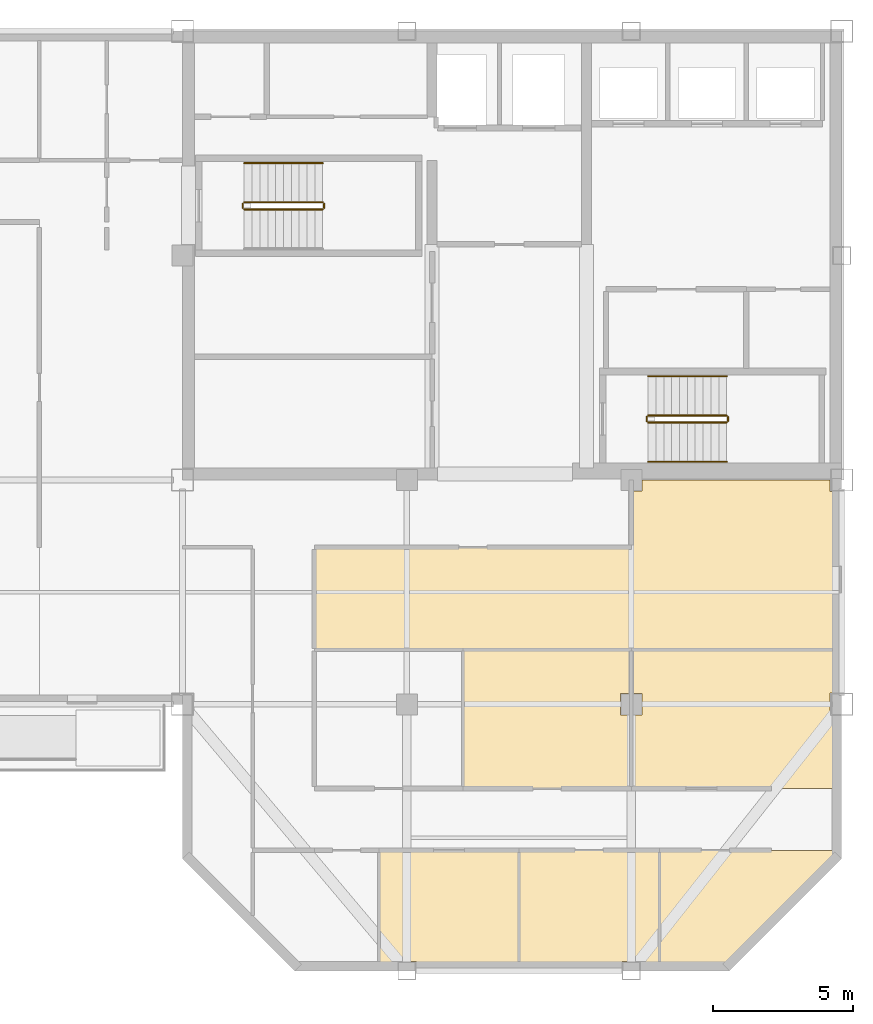
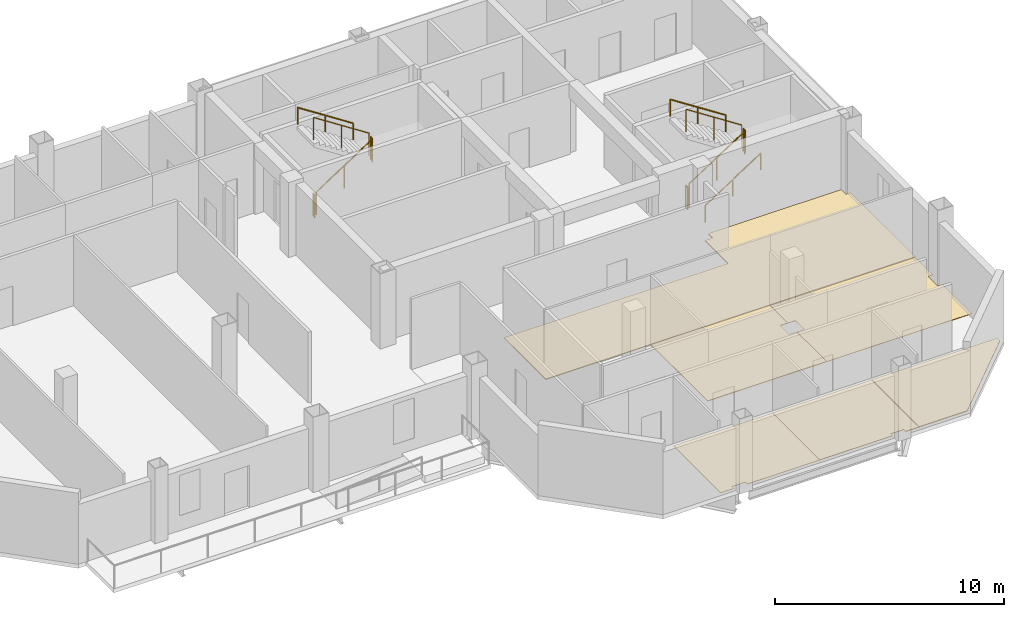
# One storey, part 6 of 7: 11 railings, 6 coverings.
"""IFC4 building model written with IfcOpenShell, lengths in metres."""

from ifc_helpers import new_model, si_unit, direction, frame, origin, origin_2d, place, context, subcontext, project, spatial, polyline, circle, outline, extrude, material, layer, layer_set, type_object, element, save


model = new_model("IFC4")

# Units and contexts
model_context = context("Model", 3, precision=1e-05, world=origin(), true_north=direction((0.0, 1.0)))
body_context = subcontext(model_context, "Body", "Model", "MODEL_VIEW")
ifc_project = project(units=[si_unit("LENGTHUNIT", "METRE"), si_unit("AREAUNIT", "SQUARE_METRE"), si_unit("VOLUMEUNIT", "CUBIC_METRE"), si_unit("PLANEANGLEUNIT", "RADIAN"), si_unit("MASSUNIT", "GRAM", prefix="KILO")], contexts=[model_context])

# Site, building, storey
site_placement = place(None, origin())
site = spatial("IfcSite", under=ifc_project, at=site_placement, CompositionType="ELEMENT")
building_placement = place(site_placement, origin())
building = spatial("IfcBuilding", under=site, at=building_placement, Name="Qianrong Seaharbour Tower", CompositionType="ELEMENT")
storey_placement = place(building_placement, frame((0.0, 0.0, 359.199951171875)))
storey = spatial("IfcBuildingStorey", under=building, at=storey_placement, Name="L87", CompositionType="ELEMENT", Elevation=359.199951171875)

# Coverings
ifc_material_1 = material(Name="Acoustic modular carpet tile flooring")
ifc_layer_1 = layer(ifc_material_1, 0.02001953125)
ifc_layer_set_1 = layer_set([ifc_layer_1], Name="Acoustic modular carpet tile flooring")
covering_type_1 = type_object("IfcCoveringType", Name="COV-FLOOR-CARPET-20", PredefinedType="FLOORING", material=ifc_layer_set_1)
covering_1_placement = place(storey_placement, origin())
element("IfcCovering", 1, at=covering_1_placement, inside=storey, type_object=covering_type_1, Name="L87 Trade Meeting Room 3 Finish Flooring", PredefinedType="FLOORING", context=body_context, shape_type="SweptSolid", body=[
    extrude(outline(polyline([(63.8349609375, 29.949951171875), (63.8349609375, 28.409912109375), (63.590087890625, 28.409912109375), (63.590087890625, 27.590087890625), (63.8349609375, 27.590087890625), (63.8349609375, 25.0), (56.5, 25.0), (56.5, 27.614990234375), (56.885009765625, 27.614990234375), (56.885009765625, 28.385009765625), (56.5, 28.385009765625), (56.5, 29.949951171875), (63.8349609375, 29.949951171875)])), origin(), (0.0, 0.0, 1.0), 0.02001953125),
])
covering_2_placement = place(storey_placement, origin())
element("IfcCovering", 2, at=covering_2_placement, inside=storey, type_object=covering_type_1, Name="L87 Contract Signing Room 2 Finish Flooring", PredefinedType="FLOORING", context=body_context, shape_type="SweptSolid", body=[
    extrude(outline(polyline([(52.5, 18.6650390625), (48.8349609375, 18.6650390625), (48.8349609375, 18.8349609375), (48.1650390625, 18.8349609375), (48.1650390625, 18.6650390625), (47.5, 18.6650390625), (47.5, 22.800048828125), (52.5, 22.800048828125), (52.5, 18.6650390625)])), origin(), (0.0, 0.0, 1.0), 0.02001953125),
])
ifc_material_2 = material(Name="Honed granite stone flooring", Category="masonry")
ifc_layer_2 = layer(ifc_material_2, 0.030029296875)
ifc_layer_set_2 = layer_set([ifc_layer_2], Name="Honed granite stone flooring")
covering_type_2 = type_object("IfcCoveringType", Name="COV-FLOOR-GRANITE-30", PredefinedType="FLOORING", material=ifc_layer_set_2)
covering_3_placement = place(storey_placement, origin())
element("IfcCovering", 3, at=covering_3_placement, inside=storey, type_object=covering_type_2, Name="L87 Port Equipment Showroom 2 Finish Flooring", PredefinedType="FLOORING", context=body_context, shape_type="SweptSolid", body=[
    extrude(outline(polyline([(56.5, 29.949951171875), (56.5, 28.385009765625), (56.114990234375, 28.385009765625), (56.114990234375, 27.614990234375), (56.5, 27.614990234375), (56.5, 25.0), (50.5, 25.0), (50.5, 29.949951171875), (56.5, 29.949951171875)])), origin(), (0.0, 0.0, 1.0), 0.030029296875),
])
covering_4_placement = place(storey_placement, origin())
element("IfcCovering", 4, at=covering_4_placement, inside=storey, type_object=covering_type_2, Name="L87 Marine Showcase Showroom 3 Finish Flooring", PredefinedType="FLOORING", context=body_context, shape_type="SweptSolid", body=[
    extrude(outline(polyline([(57.5, 18.6650390625), (56.8349609375, 18.6650390625), (56.8349609375, 18.8349609375), (56.1650390625, 18.8349609375), (56.1650390625, 18.6650390625), (52.5, 18.6650390625), (52.5, 22.800048828125), (57.5, 22.800048828125), (57.5, 18.6650390625)])), origin(), (0.0, 0.0, 1.0), 0.030029296875),
])
ifc_material_3 = material(Name="Calcium-sulphate raised access floor tile")
ifc_layer_3 = layer(ifc_material_3, 0.044921875)
ifc_layer_set_3 = layer_set([ifc_layer_3], Name="Calcium-sulphate raised access floor tile")
covering_type_3 = type_object("IfcCoveringType", Name="COV-FLOOR-RAISED-45", PredefinedType="FLOORING", material=ifc_layer_set_3)
covering_5_placement = place(storey_placement, origin())
element("IfcCovering", 5, at=covering_5_placement, inside=storey, type_object=covering_type_3, Name="L87 Commercial Desk Open-Plan Office Finish Flooring", PredefinedType="FLOORING", context=body_context, shape_type="SweptSolid", body=[
    extrude(outline(polyline([(56.5, 33.60009765625), (56.5, 35.614990234375), (56.885009765625, 35.614990234375), (56.885009765625, 36.0), (63.590087890625, 36.0), (63.590087890625, 35.590087890625), (63.8349609375, 35.590087890625), (63.8349609375, 29.949951171875), (45.199951171875, 29.949951171875), (45.199951171875, 33.60009765625), (56.5, 33.60009765625)])), origin(), (0.0, 0.0, 1.0), 0.045166015625),
])
covering_6_placement = place(storey_placement, origin())
element("IfcCovering", 6, at=covering_6_placement, inside=storey, type_object=covering_type_3, Name="L87 Brokerage Office 4 Finish Flooring", PredefinedType="FLOORING", context=body_context, shape_type="SweptSolid", body=[
    extrude(outline(polyline([(63.8349609375, 22.568359375), (59.931640625, 18.6650390625), (57.5, 18.6650390625), (57.5, 22.800048828125), (63.8349609375, 22.800048828125), (63.8349609375, 22.568359375)])), origin(), (0.0, 0.0, 1.0), 0.045166015625),
])

# Railings
ifc_material_4 = material(Name="Galvanized painted steel SN400B stair guard", Category="steel")
railing_type_1 = type_object("IfcRailingType", Name="RAIL-STAIR-GUARD-1220", PredefinedType="GUARDRAIL", material=ifc_material_4)
railing_1_placement = place(storey_placement, frame((42.699951171875, 45.64990234375, 0.181884765625)))
element("IfcRailing", 7, at=railing_1_placement, inside=storey, type_object=railing_type_1, Name="L87 ST-1 stair guard 1", PredefinedType="GUARDRAIL", context=body_context, shape_type="SweptSolid", body=[
    extrude(circle(Radius=0.02392578125, at=origin_2d()), frame((0.0, 0.0, 1.19580078125), z_axis=(0.838705829183, 0.0, 0.544584733623), x_axis=(0.0, 1.0, 0.0)), (0.0, 0.0, 1.0), 3.338623046875),
    extrude(circle(Radius=0.02099609375, at=origin_2d()), origin(), (0.0, 0.0, 1.0), 1.171875),
    extrude(circle(Radius=0.02099609375, at=origin_2d()), frame((1.39990234375, 0.0, 0.9091796875)), (0.0, 0.0, 1.0), 1.171875),
    extrude(circle(Radius=0.02099609375, at=origin_2d()), frame((2.800048828125, 0.0, 1.818115234375)), (0.0, 0.0, 1.0), 1.171875),
])
railing_2_placement = place(storey_placement, frame((45.550048828125, 45.699951171875, 2.0)))
element("IfcRailing", 8, at=railing_2_placement, inside=storey, type_object=railing_type_1, Name="L87 ST-1 stair guard 2", PredefinedType="GUARDRAIL", context=body_context, shape_type="SweptSolid", body=[
    extrude(circle(Radius=0.02392578125, at=origin_2d()), frame((0.0, 0.0, 1.19580078125), z_axis=(0.0, 1.0, 0.0), x_axis=(-1.0, 0.0, 0.0)), (0.0, 0.0, 1.0), 0.150146484375),
    extrude(circle(Radius=0.02099609375, at=origin_2d()), origin(), (0.0, 0.0, 1.0), 1.171875),
    extrude(circle(Radius=0.02099609375, at=origin_2d()), frame((0.0, 0.150146484375, 0.0)), (0.0, 0.0, 1.0), 1.171875),
])
railing_3_placement = place(storey_placement, frame((45.5, 45.89990234375, 2.181884765625)))
element("IfcRailing", 9, at=railing_3_placement, inside=storey, type_object=railing_type_1, Name="L87 ST-1 stair guard 3", PredefinedType="GUARDRAIL", context=body_context, shape_type="SweptSolid", body=[
    extrude(circle(Radius=0.02392578125, at=origin_2d()), frame((0.0, 0.0, 1.19580078125), z_axis=(-0.838705829183, 0.0, 0.544584733623), x_axis=(0.0, -1.0, 0.0)), (0.0, 0.0, 1.0), 3.338623046875),
    extrude(circle(Radius=0.02099609375, at=origin_2d()), origin(), (0.0, 0.0, 1.0), 1.171875),
    extrude(circle(Radius=0.02099609375, at=origin_2d()), frame((-1.39990234375, 0.0, 0.9091796875)), (0.0, 0.0, 1.0), 1.171875),
    extrude(circle(Radius=0.02099609375, at=origin_2d()), frame((-2.800048828125, 0.0, 1.818115234375)), (0.0, 0.0, 1.0), 1.171875),
])
railing_4_placement = place(storey_placement, frame((42.64990234375, 45.699951171875, 0.0)))
element("IfcRailing", 10, at=railing_4_placement, inside=storey, type_object=railing_type_1, Name="L87 ST-1 stair guard 4", PredefinedType="GUARDRAIL", context=body_context, shape_type="SweptSolid", body=[
    extrude(circle(Radius=0.02392578125, at=origin_2d()), frame((0.0, 0.0, 1.19580078125), z_axis=(0.0, 1.0, 0.0), x_axis=(-1.0, 0.0, 0.0)), (0.0, 0.0, 1.0), 0.150146484375),
    extrude(circle(Radius=0.02099609375, at=origin_2d()), origin(), (0.0, 0.0, 1.0), 1.171875),
    extrude(circle(Radius=0.02099609375, at=origin_2d()), frame((0.0, 0.150146484375, 0.0)), (0.0, 0.0, 1.0), 1.171875),
])
railing_5_placement = place(storey_placement, frame((57.10009765625, 38.050048828125, 0.181884765625)))
element("IfcRailing", 11, at=railing_5_placement, inside=storey, type_object=railing_type_1, Name="L87 ST-2 stair guard 1", PredefinedType="GUARDRAIL", context=body_context, shape_type="SweptSolid", body=[
    extrude(circle(Radius=0.02392578125, at=origin_2d()), frame((0.0, 0.0, 1.19580078125), z_axis=(0.83868413941, 0.0, 0.544618136222), x_axis=(0.0, 1.0, 0.0)), (0.0, 0.0, 1.0), 3.33837890625),
    extrude(circle(Radius=0.02099609375, at=origin_2d()), origin(), (0.0, 0.0, 1.0), 1.171875),
    extrude(circle(Radius=0.02099609375, at=origin_2d()), frame((1.39990234375, 0.0, 0.9091796875)), (0.0, 0.0, 1.0), 1.171875),
    extrude(circle(Radius=0.02099609375, at=origin_2d()), frame((2.7998046875, 0.0, 1.818115234375)), (0.0, 0.0, 1.0), 1.171875),
])
railing_6_placement = place(storey_placement, frame((59.949951171875, 38.10009765625, 2.0)))
element("IfcRailing", 12, at=railing_6_placement, inside=storey, type_object=railing_type_1, Name="L87 ST-2 stair guard 2", PredefinedType="GUARDRAIL", context=body_context, shape_type="SweptSolid", body=[
    extrude(circle(Radius=0.02392578125, at=origin_2d()), frame((0.0, 0.0, 1.19580078125), z_axis=(0.0, 1.0, 0.0), x_axis=(-1.0, 0.0, 0.0)), (0.0, 0.0, 1.0), 0.14990234375),
    extrude(circle(Radius=0.02099609375, at=origin_2d()), origin(), (0.0, 0.0, 1.0), 1.171875),
    extrude(circle(Radius=0.02099609375, at=origin_2d()), frame((0.0, 0.14990234375, 0.0)), (0.0, 0.0, 1.0), 1.171875),
])
railing_7_placement = place(storey_placement, frame((59.89990234375, 38.300048828125, 2.181884765625)))
element("IfcRailing", 13, at=railing_7_placement, inside=storey, type_object=railing_type_1, Name="L87 ST-2 stair guard 3", PredefinedType="GUARDRAIL", context=body_context, shape_type="SweptSolid", body=[
    extrude(circle(Radius=0.02392578125, at=origin_2d()), frame((0.0, 0.0, 1.19580078125), z_axis=(-0.83868413941, 0.0, 0.544618136222), x_axis=(0.0, -1.0, 0.0)), (0.0, 0.0, 1.0), 3.33837890625),
    extrude(circle(Radius=0.02099609375, at=origin_2d()), origin(), (0.0, 0.0, 1.0), 1.171875),
    extrude(circle(Radius=0.02099609375, at=origin_2d()), frame((-1.39990234375, 0.0, 0.9091796875)), (0.0, 0.0, 1.0), 1.171875),
    extrude(circle(Radius=0.02099609375, at=origin_2d()), frame((-2.7998046875, 0.0, 1.818115234375)), (0.0, 0.0, 1.0), 1.171875),
])
railing_8_placement = place(storey_placement, frame((57.050048828125, 38.10009765625, 0.0)))
element("IfcRailing", 14, at=railing_8_placement, inside=storey, type_object=railing_type_1, Name="L87 ST-2 stair guard 4", PredefinedType="GUARDRAIL", context=body_context, shape_type="SweptSolid", body=[
    extrude(circle(Radius=0.02392578125, at=origin_2d()), frame((0.0, 0.0, 1.19580078125), z_axis=(0.0, 1.0, 0.0), x_axis=(-1.0, 0.0, 0.0)), (0.0, 0.0, 1.0), 0.14990234375),
    extrude(circle(Radius=0.02099609375, at=origin_2d()), origin(), (0.0, 0.0, 1.0), 1.171875),
    extrude(circle(Radius=0.02099609375, at=origin_2d()), frame((0.0, 0.14990234375, 0.0)), (0.0, 0.0, 1.0), 1.171875),
])
ifc_material_5 = material(Name="Stainless steel SUS316L continuous handrail", Category="steel")
railing_type_2 = type_object("IfcRailingType", Name="RAIL-STAIR-HANDRAIL-900", PredefinedType="HANDRAIL", material=ifc_material_5)
railing_9_placement = place(storey_placement, frame((45.5, 47.300048828125, 2.181884765625)))
element("IfcRailing", 15, at=railing_9_placement, inside=storey, type_object=railing_type_2, Name="L87 ST-1 stair handrail 2", PredefinedType="HANDRAIL", context=body_context, shape_type="SweptSolid", body=[
    extrude(circle(Radius=0.02392578125, at=origin_2d()), frame((0.0, 0.0, 0.8759765625), z_axis=(-0.838705829183, 0.0, 0.544584733623), x_axis=(0.0, -1.0, 0.0)), (0.0, 0.0, 1.0), 3.338623046875),
    extrude(circle(Radius=0.02099609375, at=origin_2d()), origin(), (0.0, 0.0, 1.0), 0.851806640625),
    extrude(circle(Radius=0.02099609375, at=origin_2d()), frame((-1.39990234375, 0.0, 0.9091796875)), (0.0, 0.0, 1.0), 0.851806640625),
    extrude(circle(Radius=0.02099609375, at=origin_2d()), frame((-2.800048828125, 0.0, 1.818115234375)), (0.0, 0.0, 1.0), 0.851806640625),
])
railing_10_placement = place(storey_placement, frame((57.10009765625, 36.64990234375, 0.181884765625)))
element("IfcRailing", 16, at=railing_10_placement, inside=storey, type_object=railing_type_2, Name="L87 ST-2 stair handrail 1", PredefinedType="HANDRAIL", context=body_context, shape_type="SweptSolid", body=[
    extrude(circle(Radius=0.02392578125, at=origin_2d()), frame((0.0, 0.0, 0.8759765625), z_axis=(0.83868413941, 0.0, 0.544618136222), x_axis=(0.0, 1.0, 0.0)), (0.0, 0.0, 1.0), 3.33837890625),
    extrude(circle(Radius=0.02099609375, at=origin_2d()), origin(), (0.0, 0.0, 1.0), 0.851806640625),
    extrude(circle(Radius=0.02099609375, at=origin_2d()), frame((1.39990234375, 0.0, 0.9091796875)), (0.0, 0.0, 1.0), 0.851806640625),
    extrude(circle(Radius=0.02099609375, at=origin_2d()), frame((2.7998046875, 0.0, 1.818115234375)), (0.0, 0.0, 1.0), 0.851806640625),
])
railing_11_placement = place(storey_placement, frame((59.89990234375, 39.699951171875, 2.181884765625)))
element("IfcRailing", 17, at=railing_11_placement, inside=storey, type_object=railing_type_2, Name="L87 ST-2 stair handrail 2", PredefinedType="HANDRAIL", context=body_context, shape_type="SweptSolid", body=[
    extrude(circle(Radius=0.02392578125, at=origin_2d()), frame((0.0, 0.0, 0.8759765625), z_axis=(-0.83868413941, 0.0, 0.544618136222), x_axis=(0.0, -1.0, 0.0)), (0.0, 0.0, 1.0), 3.33837890625),
    extrude(circle(Radius=0.02099609375, at=origin_2d()), origin(), (0.0, 0.0, 1.0), 0.851806640625),
    extrude(circle(Radius=0.02099609375, at=origin_2d()), frame((-1.39990234375, 0.0, 0.9091796875)), (0.0, 0.0, 1.0), 0.851806640625),
    extrude(circle(Radius=0.02099609375, at=origin_2d()), frame((-2.7998046875, 0.0, 1.818115234375)), (0.0, 0.0, 1.0), 0.851806640625),
])

save(model, "model.ifc")
